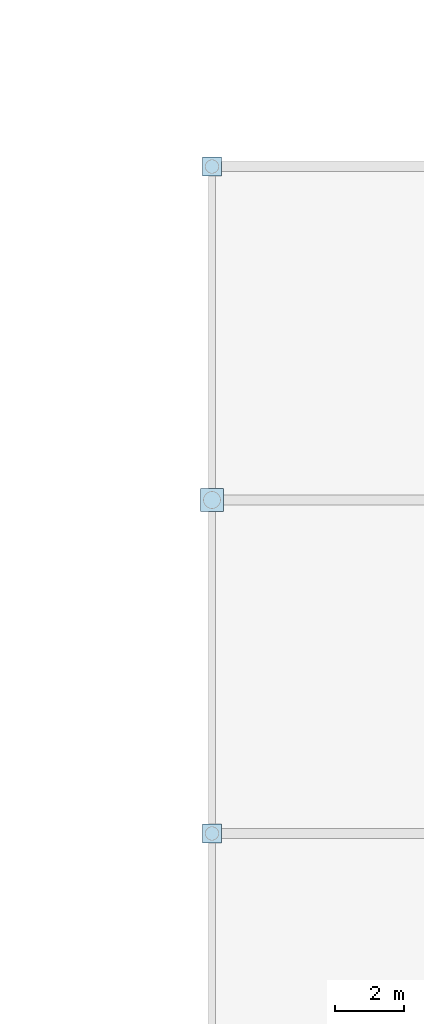
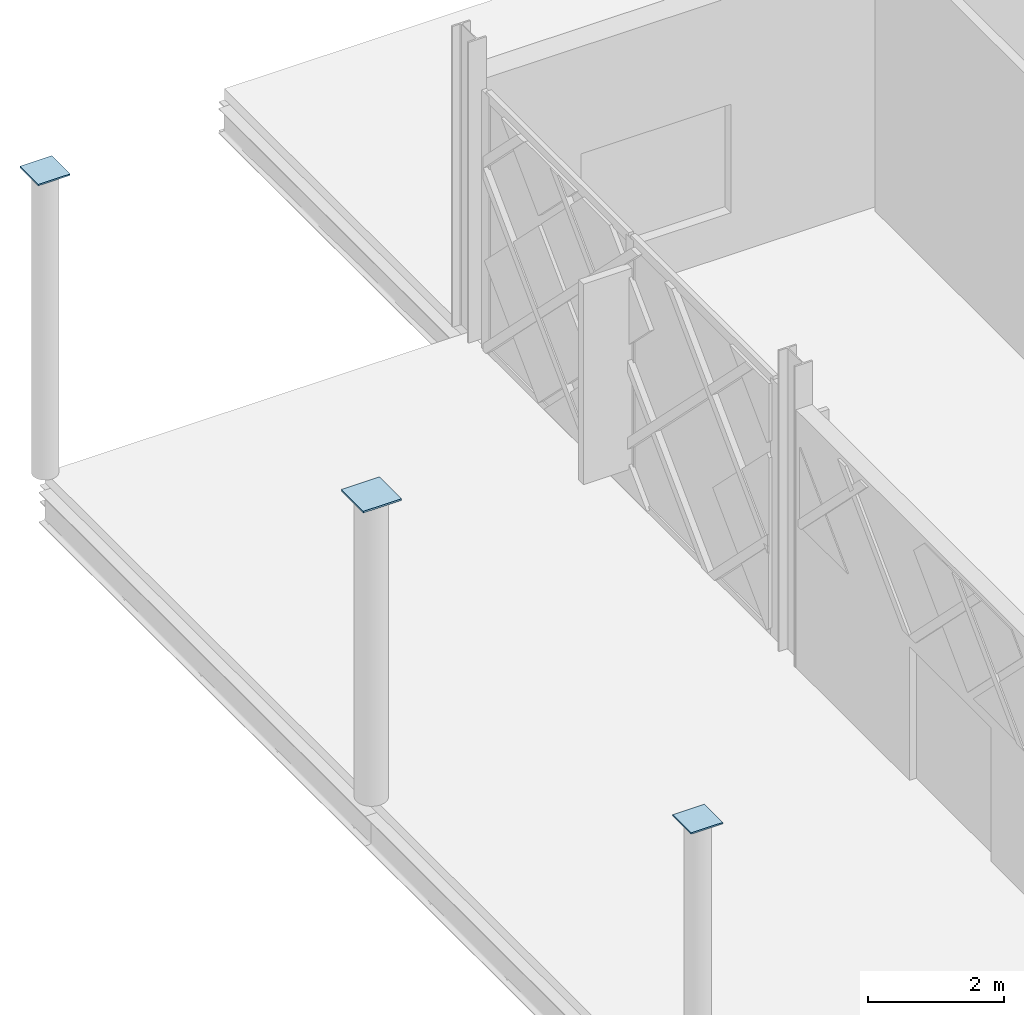
# One storey, part 49 of 84: 3 plates.
"""IFC4 building model written with IfcOpenShell, lengths in metres."""

import ifcopenshell
import ifcopenshell.guid

model = None  # the IFC model being written
_history = None  # IfcOwnerHistory: only IFC2X3 demands one
_inside = {}  # id of a spatial element -> (the spatial element, [elements in it])
_under = {}  # id of a project, library or spatial element -> (it, [spatial elements below it])
_declared = {}  # id of a project -> (the project, [libraries it declares])
_typed = {}  # id of a type object -> (the type object, [elements of that type])
_made_of = {}  # id of a material, layer set ... -> (it, [elements and type objects made of it])


def new_model(schema):
    """Start an empty IFC model of exactly this schema.

    Asked for "IFC4X3", IfcOpenShell would pick the latest addendum, in which some entities
    have other attributes; the version numbers below select the first issue.
    IFC2X3 requires an IfcOwnerHistory on every rooted entity: one is made here for all.
    """
    global model, _history
    if schema == "IFC4X3":
        model = ifcopenshell.file(schema_version=(4, 3, 0, 0))
    else:
        model = ifcopenshell.file(schema=schema)
    _inside.clear()
    _under.clear()
    _declared.clear()
    _typed.clear()
    _made_of.clear()
    _history = None
    if model.schema == "IFC2X3":
        org = make("IfcOrganization", Name="unknown")
        user = make(
            "IfcPersonAndOrganization",
            ThePerson=make("IfcPerson", FamilyName="unknown"),
            TheOrganization=org,
        )
        app = make(
            "IfcApplication",
            ApplicationDeveloper=org,
            Version="unknown",
            ApplicationFullName="unknown",
            ApplicationIdentifier="unknown",
        )
        _history = make(
            "IfcOwnerHistory",
            OwningUser=user,
            OwningApplication=app,
            ChangeAction="ADDED",
            CreationDate=0,
        )
    return model


def make(cls, **values):
    """One entity of the class cls with the attributes given. An attribute that is None is left unset."""
    return model.create_entity(
        cls, **{name: value for name, value in values.items() if value is not None}
    )


def rooted(cls, **values):
    """An entity with a GlobalId (a new one), such as an element, a storey or a relation."""
    return make(cls, GlobalId=ifcopenshell.guid.new(), OwnerHistory=_history, **values)


def si_unit(unit_type, name, prefix=None):
    """IfcSIUnit, for example si_unit("LENGTHUNIT", "METRE", prefix="MILLI")."""
    return make("IfcSIUnit", UnitType=unit_type, Prefix=prefix, Name=name)


def assignment(units):
    """IfcUnitAssignment: the units of a project."""
    return None if units is None else make("IfcUnitAssignment", Units=units)


def point(xyz):
    """IfcCartesianPoint."""
    return None if xyz is None else make("IfcCartesianPoint", Coordinates=xyz)


def direction(xyz):
    """IfcDirection."""
    return None if xyz is None else make("IfcDirection", DirectionRatios=xyz)


def frame(location, z_axis=None, x_axis=None):
    """IfcAxis2Placement3D, a coordinate frame: its origin and axes. An axis left out is left unset."""
    return make(
        "IfcAxis2Placement3D",
        Location=point(location),
        Axis=direction(z_axis),
        RefDirection=direction(x_axis),
    )


def frame_2d(location, x_axis=None):
    """IfcAxis2Placement2D, a coordinate frame in the plane: its origin and x axis."""
    return make(
        "IfcAxis2Placement2D", Location=point(location), RefDirection=direction(x_axis)
    )


def origin():
    """The frame at (0, 0, 0) with its axes left unset."""
    return frame((0.0, 0.0, 0.0))


def origin_2d():
    """The frame at (0, 0) in the plane with its x axis left unset."""
    return frame_2d((0.0, 0.0))


def place(relative_to, where):
    """IfcLocalPlacement: puts the frame where relative to a parent placement (None: the world)."""
    return make(
        "IfcLocalPlacement", PlacementRelTo=relative_to, RelativePlacement=where
    )


def context(
    kind, dimensions, precision=None, world=None, true_north=None, identifier=None
):
    """IfcGeometricRepresentationContext, for example the 3D "Model" context."""
    return make(
        "IfcGeometricRepresentationContext",
        ContextIdentifier=identifier,
        ContextType=kind,
        CoordinateSpaceDimension=dimensions,
        Precision=precision,
        WorldCoordinateSystem=world,
        TrueNorth=true_north,
    )


def subcontext(parent, identifier, kind, view, scale=None):
    """IfcGeometricRepresentationSubContext, for example "Body" below "Model"."""
    return make(
        "IfcGeometricRepresentationSubContext",
        ContextIdentifier=identifier,
        ContextType=kind,
        ParentContext=parent,
        TargetScale=scale,
        TargetView=view,
    )


def project(units=None, contexts=None):
    """IfcProject with its units and contexts."""
    return rooted(
        "IfcProject",
        Name="project",
        RepresentationContexts=contexts,
        UnitsInContext=assignment(units),
    )


def spatial(cls, under=None, at=None, **own):
    """A site, building, storey or space (cls), placed at a placement, below another one or the project."""
    s = rooted(cls, ObjectPlacement=at, **own)
    if under is not None:
        _under.setdefault(under.id(), (under, []))[1].append(s)
    return s


def profile(cls, at=None, kind="AREA", **sizes):
    """A parametric profile (cls). Its sizes go by their IFC names, for example OverallWidth=200.0."""
    return make(cls, ProfileType=kind, Position=at, **sizes)


def rectangle(**sizes):
    """IfcRectangleProfileDef."""
    return profile("IfcRectangleProfileDef", **sizes)


def extrude(swept, where, along, depth):
    """IfcExtrudedAreaSolid: the profile swept, set in the frame where, extruded along a direction by depth."""
    return make(
        "IfcExtrudedAreaSolid",
        SweptArea=swept,
        Position=where,
        ExtrudedDirection=direction(along),
        Depth=depth,
    )


def shape(context_of_items, identifier, shape_type, items):
    """IfcShapeRepresentation: the items that make up one representation, for example the "Body"."""
    return make(
        "IfcShapeRepresentation",
        ContextOfItems=context_of_items,
        RepresentationIdentifier=identifier,
        RepresentationType=shape_type,
        Items=items,
    )


def material(Name=None, Category=None):
    """IfcMaterial."""
    return make("IfcMaterial", Name=Name, Category=Category)


def layer(
    of_material, thickness, ventilated=None, Name=None, Category=None, Priority=None
):
    """IfcMaterialLayer: one layer of a wall or slab, of a material (None: an air gap)."""
    return make(
        "IfcMaterialLayer",
        Material=of_material,
        LayerThickness=thickness,
        IsVentilated=ventilated,
        Name=Name,
        Category=Category,
        Priority=Priority,
    )


def layer_set(layers, Name=None):
    """IfcMaterialLayerSet."""
    return make("IfcMaterialLayerSet", MaterialLayers=layers, LayerSetName=Name)


def made_of(thing, what):
    """Note that an element or type object is made of a material, layer set ...; save() writes the relation."""
    if what is not None:
        _made_of.setdefault(what.id(), (what, []))[1].append(thing)
    return thing


def type_object(cls, material=None, **own):
    """A type object (cls), such as IfcWallType, which elements share."""
    return made_of(rooted(cls, **own), material)


def element(
    cls,
    number,
    at=None,
    inside=None,
    cuts=None,
    type_object=None,
    material=None,
    context=None,
    identifier="Body",
    shape_type=None,
    held_by="IfcProductDefinitionShape",
    body=None,
    shapes=None,
    **own,
):
    """One element of the class cls, such as IfcWall. Its Tag is "e" and its number.

    at: its placement. inside: the storey or other place that contains it. cuts: it is an
    opening in that element (IfcRelVoidsElement). A single representation is given by context,
    identifier, shape_type and body (its items); several are given by shapes. held_by: the class
    of the entity that holds the representations. save() writes the other relations.
    """
    e = rooted(cls, Tag="e%d" % number, ObjectPlacement=at, **own)
    if body is not None:
        shapes = [shape(context, identifier, shape_type, body)]
    if shapes is not None:
        e.Representation = make(held_by, Representations=shapes)
    if inside is not None:
        _inside.setdefault(inside.id(), (inside, []))[1].append(e)
    if cuts is not None:
        rooted(
            "IfcRelVoidsElement", RelatingBuildingElement=cuts, RelatedOpeningElement=e
        )
    if type_object is not None:
        _typed.setdefault(type_object.id(), (type_object, []))[1].append(e)
    return made_of(e, material)


def aggregate(whole, parts):
    """IfcRelAggregates: a whole, such as a stair, and the parts it consists of."""
    return rooted("IfcRelAggregates", RelatingObject=whole, RelatedObjects=parts)


def save(model, path):
    """Write the relations noted so far, then the file.

    IfcRelAggregates (storeys below a building ...), IfcRelContainedInSpatialStructure (elements
    in a storey), IfcRelDefinesByType, IfcRelAssociatesMaterial and IfcRelDeclares: one each for
    every whole, place, type object, material and project.
    """
    for whole, parts in _under.values():
        aggregate(whole, parts)
    for where, things in _inside.values():
        rooted(
            "IfcRelContainedInSpatialStructure",
            RelatedElements=things,
            RelatingStructure=where,
        )
    for kind, things in _typed.values():
        rooted("IfcRelDefinesByType", RelatedObjects=things, RelatingType=kind)
    for what, things in _made_of.values():
        rooted("IfcRelAssociatesMaterial", RelatedObjects=things, RelatingMaterial=what)
    for by, libraries in _declared.values():
        rooted("IfcRelDeclares", RelatingContext=by, RelatedDefinitions=libraries)
    model.write(path)


model = new_model("IFC4")

# Units and contexts
model_context = context("Model", 3, precision=1e-05, world=origin(), true_north=direction((0.0, 1.0)))
body_context = subcontext(model_context, "Body", "Model", "MODEL_VIEW")
ifc_project = project(units=[si_unit("LENGTHUNIT", "METRE"), si_unit("AREAUNIT", "SQUARE_METRE"), si_unit("VOLUMEUNIT", "CUBIC_METRE"), si_unit("PLANEANGLEUNIT", "RADIAN"), si_unit("MASSUNIT", "GRAM", prefix="KILO")], contexts=[model_context])

# Site, building, storey
site_placement = place(None, origin())
site = spatial("IfcSite", under=ifc_project, at=site_placement, CompositionType="ELEMENT")
building_placement = place(site_placement, origin())
building = spatial("IfcBuilding", under=site, at=building_placement, Name="Zevrakil Square Congress Hotel", CompositionType="ELEMENT")
storey_placement = place(building_placement, origin())
storey = spatial("IfcBuildingStorey", under=building, at=storey_placement, Name="L01", CompositionType="ELEMENT", Elevation=0.0)

# Plates
ifc_material_1 = material(Name="Steel S355", Category="steel")
ifc_layer_1 = layer(ifc_material_1, 0.02490234375)
ifc_layer_set_1 = layer_set([ifc_layer_1], Name="Steel S355")
plate_type_1 = type_object("IfcPlateType", Name="PLT-CAP-540", PredefinedType="SHEET", material=ifc_layer_set_1)
for number, where, z_axis, x_axis, name in (
    (1, (0.0, 93.60009765625, 5.400146484375), (0.0, 0.0, 1.0), (1.0, 0.0, 0.0), "L01 colonnade CHS column head closure cap plate 011"),
    (2, (0.0, 112.800048828125, 5.400146484375), (0.0, 0.0, 1.0), (1.0, 0.0, 0.0), "L01 colonnade CHS column head closure cap plate 013"),
):
    element("IfcPlate", number, at=place(storey_placement, frame(where, z_axis=z_axis, x_axis=x_axis)), inside=storey, type_object=plate_type_1, Name=name, PredefinedType="SHEET", context=body_context, shape_type="SweptSolid", body=[
        extrude(rectangle(XDim=0.5400390625, YDim=0.5400390625, at=origin_2d()), origin(), (0.0, 0.0, 1.0), 0.02490234375),
    ])
ifc_material_2 = material(Name="Steel S355", Category="steel")
ifc_layer_2 = layer(ifc_material_2, 0.030029296875)
ifc_layer_set_2 = layer_set([ifc_layer_2], Name="Steel S355")
plate_type_2 = type_object("IfcPlateType", Name="PLT-CAP-650", PredefinedType="SHEET", material=ifc_layer_set_2)
plate_placement = place(storey_placement, frame((0.0, 103.199951171875, 5.39990234375), z_axis=(0.0, 0.0, 1.0), x_axis=(1.0, 0.0, 0.0)))
element("IfcPlate", 3, at=plate_placement, inside=storey, type_object=plate_type_2, Name="L01 colonnade CHS column head closure cap plate 012", PredefinedType="SHEET", context=body_context, shape_type="SweptSolid", body=[
    extrude(rectangle(XDim=0.64990234375, YDim=0.64990234375, at=origin_2d()), origin(), (0.0, 0.0, 1.0), 0.030029296875),
])

save(model, "model.ifc")
